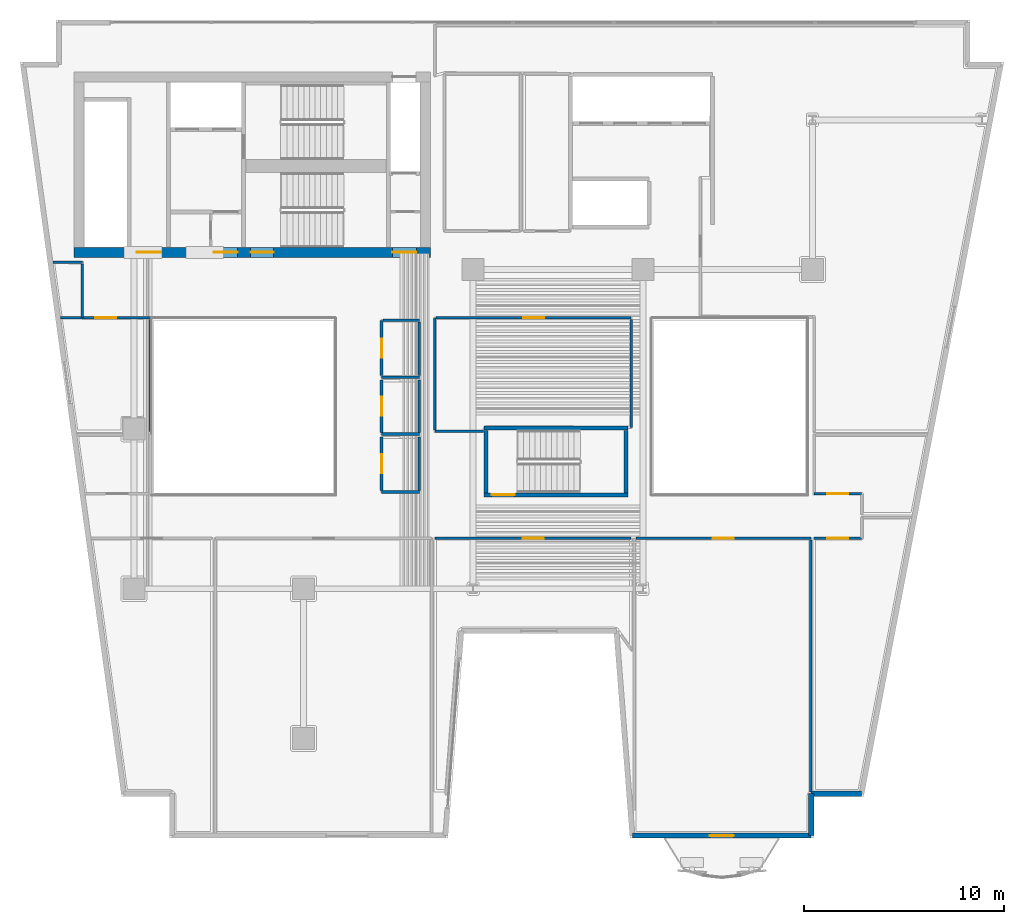
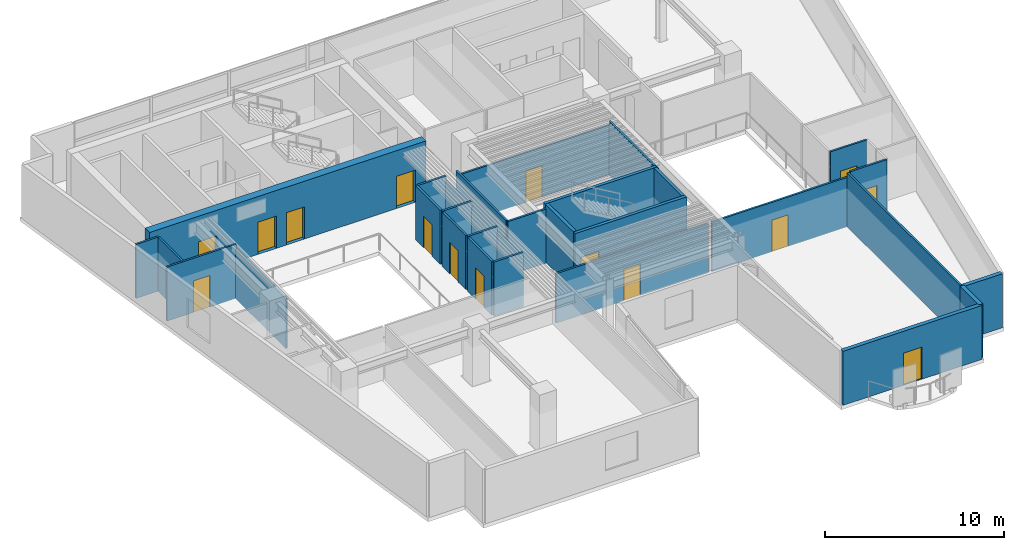
# One storey, part 6 of 13: 31 walls, 15 doors, 15 openings.
"""IFC4 building model written with IfcOpenShell, lengths in metres."""

from ifc_helpers import new_model, si_unit, direction, frame, frame_2d, origin, place, context, subcontext, project, spatial, rectangle, extrude, material, layer, layer_set, type_object, element, fill, save


model = new_model("IFC4")

# Units and contexts
model_context = context("Model", 3, precision=1e-05, world=origin(), true_north=direction((0.0, 1.0)))
body_context = subcontext(model_context, "Body", "Model", "MODEL_VIEW")
ifc_project = project(units=[si_unit("LENGTHUNIT", "METRE"), si_unit("AREAUNIT", "SQUARE_METRE"), si_unit("VOLUMEUNIT", "CUBIC_METRE"), si_unit("PLANEANGLEUNIT", "RADIAN"), si_unit("MASSUNIT", "GRAM", prefix="KILO")], contexts=[model_context])

# Site, building, storey
site_placement = place(None, origin())
site = spatial("IfcSite", under=ifc_project, at=site_placement, CompositionType="ELEMENT")
building_placement = place(site_placement, origin())
building = spatial("IfcBuilding", under=site, at=building_placement, Name="Caeloran Harvest Quay", CompositionType="ELEMENT")
storey_placement = place(building_placement, frame((0.0, 0.0, 123.25)))
storey = spatial("IfcBuildingStorey", under=building, at=storey_placement, Name="L28", CompositionType="ELEMENT", Elevation=123.25)

# Walls
ifc_material_1 = material(Name="Precast concrete C50/60", Category="concrete")
ifc_layer_1 = layer(ifc_material_1, 0.260009765625, Name="Precast concrete C50/60")
ifc_layer_set_1 = layer_set([ifc_layer_1], Name="Precast concrete C50/60")
wall_type_1 = type_object("IfcWallType", Name="ENV-WALL-EW-260", PredefinedType="STANDARD", material=ifc_layer_set_1)
wall_1_placement = place(storey_placement, frame((44.96337890625, 4.72998046875, 0.0), z_axis=(0.0, 0.0, 1.0), x_axis=(-1.0, 0.0, 0.0)))
element("IfcWall", 1, at=wall_1_placement, inside=storey, type_object=wall_type_1, Name="L28 Exterior Precast Concrete Facade Wall 10", PredefinedType="STANDARD", context=body_context, shape_type="SweptSolid", body=[
    extrude(rectangle(XDim=2.5234375, YDim=0.260009765625, at=frame_2d((1.26171875, 0.0))), origin(), (0.0, 0.0, 1.0), 3.68994140625),
])
wall_2_placement = place(storey_placement, frame((42.43994140625, 4.72998046875, 0.0), z_axis=(0.0, 0.0, 1.0), x_axis=(0.0, -1.0, 0.0)))
element("IfcWall", 2, at=wall_2_placement, inside=storey, type_object=wall_type_1, Name="L28 Exterior Precast Concrete Facade Wall 11", PredefinedType="STANDARD", context=body_context, shape_type="SweptSolid", body=[
    extrude(rectangle(XDim=2.10009765625, YDim=0.260009765625, at=frame_2d((1.050048828125, 0.0))), origin(), (0.0, 0.0, 1.0), 3.68994140625),
])

# Wall, opening, door
wall_3_placement = place(storey_placement, frame((42.43994140625, 2.6298828125, 0.0), z_axis=(0.0, 0.0, 1.0), x_axis=(-1.0, 0.0, 0.0)))
wall_3 = element("IfcWall", 3, at=wall_3_placement, inside=storey, type_object=wall_type_1, Name="L28 Exterior Precast Concrete Facade Wall 12", PredefinedType="STANDARD", context=body_context, shape_type="SweptSolid", body=[
    extrude(rectangle(XDim=8.96484375, YDim=0.260009765625, at=frame_2d((4.482421875, 0.0))), origin(), (0.0, 0.0, 1.0), 3.68994140625),
])
opening_1_placement = place(wall_3_placement, frame((3.882080078125, 0.0, 0.0)))
opening_1 = element("IfcOpeningElement", 4, at=opening_1_placement, cuts=wall_3, Name="Opening BD-01", PredefinedType="OPENING", context=body_context, shape_type="SweptSolid", body=[
    extrude(rectangle(XDim=1.199951171875, YDim=2.199951171875, at=frame_2d((0.60009765625, 1.10009765625))), frame((0.0, 0.14013671875, 0.0), z_axis=(0.0, -1.0, 0.0), x_axis=(1.0, 0.0, 0.0)), (0.0, 0.0, 1.0), 0.280029296875),
])
ifc_material_2 = material(Name="Thermally Broken Powder-Coated Aluminium and Safety Glass", Category="aluminium")
door_type_1 = type_object("IfcDoorType", Name="EXTDOOR-BD-01", OperationType="NOTDEFINED", PredefinedType="DOOR", material=ifc_material_2)
door_1_placement = place(opening_1_placement, origin())
door_1 = element("IfcDoor", 5, at=door_1_placement, inside=storey, type_object=door_type_1, Name="L28 Planted Balcony Glazed Access Door", OperationType="SINGLE_SWING_LEFT", OverallHeight=2.199951171875, OverallWidth=1.199951171875, PredefinedType="DOOR", context=body_context, shape_type="SweptSolid", body=[
    extrude(rectangle(XDim=1.199951171875, YDim=2.199951171875, at=frame_2d((0.60009765625, 1.10009765625))), frame((0.0, 0.02490234375, 0.0), z_axis=(0.0, -1.0, 0.0), x_axis=(1.0, 0.0, 0.0)), (0.0, 0.0, 1.0), 0.050048828125),
])
fill(opening_1, door_1)

ifc_material_3 = material(Name="Twin-Stud Mineral-Wool Acoustic Gypsum Partition", Category="gypsum")
ifc_layer_2 = layer(ifc_material_3, 0.125, Name="Twin-Stud Mineral-Wool Acoustic Gypsum Partition")
ifc_layer_set_2 = layer_set([ifc_layer_2], Name="Twin-Stud Mineral-Wool Acoustic Gypsum Partition")
wall_type_2 = type_object("IfcWallType", Name="INT-WALL-PW-125", PredefinedType="PARTITIONING", material=ifc_layer_set_2)
wall_4_placement = place(storey_placement, frame((33.6474609375, 17.52001953125, 0.0), z_axis=(0.0, 0.0, 1.0), x_axis=(1.0, 0.0, 0.0)))
wall_4 = element("IfcWall", 6, at=wall_4_placement, inside=storey, type_object=wall_type_2, Name="Controlled-Climate Simulation Lab Partition Wall", PredefinedType="PARTITIONING", context=body_context, shape_type="SweptSolid", body=[
    extrude(rectangle(XDim=8.7724609375, YDim=0.125, at=frame_2d((4.38623046875, 0.0))), origin(), (0.0, 0.0, 1.0), 3.375),
])
opening_2_placement = place(wall_4_placement, frame((3.861328125, 0.0, 0.0)))
opening_2 = element("IfcOpeningElement", 7, at=opening_2_placement, cuts=wall_4, Name="Opening ID-03", PredefinedType="OPENING", context=body_context, shape_type="SweptSolid", body=[
    extrude(rectangle(XDim=1.050048828125, YDim=2.14990234375, at=frame_2d((0.52490234375, 1.074951171875))), frame((0.0, 0.072509765625, 0.0), z_axis=(0.0, -1.0, 0.0), x_axis=(1.0, 0.0, 0.0)), (0.0, 0.0, 1.0), 0.14501953125),
])
ifc_material_4 = material(Name="FSC Solid-Core Oak Timber Leaf", Category="wood")
door_type_2 = type_object("IfcDoorType", Name="INTDOOR-ID-03", OperationType="NOTDEFINED", PredefinedType="DOOR", material=ifc_material_4)
door_2_placement = place(opening_2_placement, origin())
door_2 = element("IfcDoor", 8, at=door_2_placement, inside=storey, type_object=door_type_2, Name="Controlled-Climate Simulation Lab Access Door", OperationType="SINGLE_SWING_RIGHT", OverallHeight=2.14990234375, OverallWidth=1.050048828125, PredefinedType="DOOR", context=body_context, shape_type="SweptSolid", body=[
    extrude(rectangle(XDim=1.050048828125, YDim=2.14990234375, at=frame_2d((0.52490234375, 1.074951171875))), frame((0.0, 0.02490234375, 0.0), z_axis=(0.0, -1.0, 0.0), x_axis=(1.0, 0.0, 0.0)), (0.0, 0.0, 1.0), 0.050048828125),
])
fill(opening_2, door_2)

# Wall
wall_5_placement = place(storey_placement, frame((42.419921875, 17.452392578125, 0.0), z_axis=(0.0, 0.0, 1.0), x_axis=(0.0, -1.0, 0.0)))
element("IfcWall", 9, at=wall_5_placement, inside=storey, type_object=wall_type_2, Name="Controlled-Climate Simulation Lab Partition Wall", PredefinedType="PARTITIONING", context=body_context, shape_type="SweptSolid", body=[
    extrude(rectangle(XDim=12.64794921875, YDim=0.125, at=frame_2d((6.323974609375, 0.0))), origin(), (0.0, 0.0, 1.0), 3.68994140625),
])

# Wall, opening, door
wall_6_placement = place(storey_placement, frame((42.580078125, 17.52001953125, 0.0), z_axis=(0.0, 0.0, 1.0), x_axis=(1.0, 0.0, 0.0)))
wall_6 = element("IfcWall", 10, at=wall_6_placement, inside=storey, type_object=wall_type_2, Name="Bio-Security Compliance Office Partition Wall", PredefinedType="PARTITIONING", context=body_context, shape_type="SweptSolid", body=[
    extrude(rectangle(XDim=2.369873046875, YDim=0.125, at=frame_2d((1.18505859375, 0.0))), origin(), (0.0, 0.0, 1.0), 3.68994140625),
])
opening_3_placement = place(wall_6_placement, frame((0.659912109375, 0.0, 0.0)))
opening_3 = element("IfcOpeningElement", 11, at=opening_3_placement, cuts=wall_6, Name="Opening ID-03", PredefinedType="OPENING", context=body_context, shape_type="SweptSolid", body=[
    extrude(rectangle(XDim=1.050048828125, YDim=2.14990234375, at=frame_2d((0.52490234375, 1.074951171875))), frame((0.0, 0.072509765625, 0.0), z_axis=(0.0, -1.0, 0.0), x_axis=(1.0, 0.0, 0.0)), (0.0, 0.0, 1.0), 0.14501953125),
])
door_3_placement = place(opening_3_placement, origin())
door_3 = element("IfcDoor", 12, at=door_3_placement, inside=storey, type_object=door_type_2, Name="Bio-Security Compliance Office Access Door", OperationType="SINGLE_SWING_RIGHT", OverallHeight=2.14990234375, OverallWidth=1.050048828125, PredefinedType="DOOR", context=body_context, shape_type="SweptSolid", body=[
    extrude(rectangle(XDim=1.050048828125, YDim=2.14990234375, at=frame_2d((0.52490234375, 1.074951171875))), frame((0.0, 0.02490234375, 0.0), z_axis=(0.0, -1.0, 0.0), x_axis=(1.0, 0.0, 0.0)), (0.0, 0.0, 1.0), 0.050048828125),
])
fill(opening_3, door_3)

wall_7_placement = place(storey_placement, frame((23.580078125, 17.52001953125, 0.0), z_axis=(0.0, 0.0, 1.0), x_axis=(1.0, 0.0, 0.0)))
wall_7 = element("IfcWall", 13, at=wall_7_placement, inside=storey, type_object=wall_type_2, Name="Boardroom and Client Briefing Room Partition Wall", PredefinedType="PARTITIONING", context=body_context, shape_type="SweptSolid", body=[
    extrude(rectangle(XDim=9.83984375, YDim=0.125, at=frame_2d((4.919921875, 0.0))), origin(), (0.0, 0.0, 1.0), 3.375),
])
opening_4_placement = place(wall_7_placement, frame((4.39501953125, 0.0, 0.0)))
opening_4 = element("IfcOpeningElement", 14, at=opening_4_placement, cuts=wall_7, Name="Opening ID-03", PredefinedType="OPENING", context=body_context, shape_type="SweptSolid", body=[
    extrude(rectangle(XDim=1.050048828125, YDim=2.14990234375, at=frame_2d((0.52490234375, 1.074951171875))), frame((0.0, 0.072509765625, 0.0), z_axis=(0.0, -1.0, 0.0), x_axis=(1.0, 0.0, 0.0)), (0.0, 0.0, 1.0), 0.14501953125),
])
door_4_placement = place(opening_4_placement, origin())
door_4 = element("IfcDoor", 15, at=door_4_placement, inside=storey, type_object=door_type_2, Name="Boardroom and Client Briefing Room Access Door", OperationType="SINGLE_SWING_LEFT", OverallHeight=2.14990234375, OverallWidth=1.050048828125, PredefinedType="DOOR", context=body_context, shape_type="SweptSolid", body=[
    extrude(rectangle(XDim=1.050048828125, YDim=2.14990234375, at=frame_2d((0.52490234375, 1.074951171875))), frame((0.0, 0.02490234375, 0.0), z_axis=(0.0, -1.0, 0.0), x_axis=(1.0, 0.0, 0.0)), (0.0, 0.0, 1.0), 0.050048828125),
])
fill(opening_4, door_4)

wall_8_placement = place(storey_placement, frame((44.949951171875, 19.75, 0.0), z_axis=(0.0, 0.0, 1.0), x_axis=(-1.0, 0.0, 0.0)))
wall_8 = element("IfcWall", 16, at=wall_8_placement, inside=storey, type_object=wall_type_2, Name="Research Library Study Room Partition Wall", PredefinedType="PARTITIONING", context=body_context, shape_type="SweptSolid", body=[
    extrude(rectangle(XDim=2.369873046875, YDim=0.125, at=frame_2d((1.18505859375, 0.0))), origin(), (0.0, 0.0, 1.0), 3.68994140625),
])
opening_5_placement = place(wall_8_placement, frame((0.659912109375, 0.0, 0.0)))
opening_5 = element("IfcOpeningElement", 17, at=opening_5_placement, cuts=wall_8, Name="Opening ID-03", PredefinedType="OPENING", context=body_context, shape_type="SweptSolid", body=[
    extrude(rectangle(XDim=1.050048828125, YDim=2.14990234375, at=frame_2d((0.52490234375, 1.074951171875))), frame((0.0, 0.072509765625, 0.0), z_axis=(0.0, -1.0, 0.0), x_axis=(1.0, 0.0, 0.0)), (0.0, 0.0, 1.0), 0.14501953125),
])
door_5_placement = place(opening_5_placement, origin())
door_5 = element("IfcDoor", 18, at=door_5_placement, inside=storey, type_object=door_type_2, Name="Research Library Study Room Access Door", OperationType="SINGLE_SWING_RIGHT", OverallHeight=2.14990234375, OverallWidth=1.050048828125, PredefinedType="DOOR", context=body_context, shape_type="SweptSolid", body=[
    extrude(rectangle(XDim=1.050048828125, YDim=2.14990234375, at=frame_2d((0.52490234375, 1.074951171875))), frame((0.0, 0.02490234375, 0.0), z_axis=(0.0, -1.0, 0.0), x_axis=(1.0, 0.0, 0.0)), (0.0, 0.0, 1.0), 0.050048828125),
])
fill(opening_5, door_5)

# Walls
wall_9_placement = place(storey_placement, frame((26.02490234375, 22.8798828125, 0.0), z_axis=(0.0, 0.0, 1.0), x_axis=(-1.0, 0.0, 0.0)))
element("IfcWall", 19, at=wall_9_placement, inside=storey, type_object=wall_type_2, Name="Server Rack Laboratory Partition Wall", PredefinedType="PARTITIONING", context=body_context, shape_type="SweptSolid", body=[
    extrude(rectangle(XDim=2.44482421875, YDim=0.125, at=frame_2d((1.222412109375, 0.0))), origin(), (0.0, 0.0, 1.0), 3.68994140625),
])
wall_10_placement = place(storey_placement, frame((23.580078125, 22.947509765625, 0.0), z_axis=(0.0, 0.0, 1.0), x_axis=(0.0, 1.0, 0.0)))
element("IfcWall", 20, at=wall_10_placement, inside=storey, type_object=wall_type_2, Name="Server Rack Laboratory Partition Wall", PredefinedType="PARTITIONING", context=body_context, shape_type="SweptSolid", body=[
    extrude(rectangle(XDim=5.62255859375, YDim=0.125, at=frame_2d((2.811279296875, 0.0))), origin(), (0.0, 0.0, 1.0), 3.68994140625),
])

# Wall, opening, door
wall_11_placement = place(storey_placement, frame((23.6474609375, 28.570068359375, 0.0), z_axis=(0.0, 0.0, 1.0), x_axis=(1.0, 0.0, 0.0)))
wall_11 = element("IfcWall", 21, at=wall_11_placement, inside=storey, type_object=wall_type_2, Name="Server Rack Laboratory Partition Wall", PredefinedType="PARTITIONING", context=body_context, shape_type="SweptSolid", body=[
    extrude(rectangle(XDim=9.7724609375, YDim=0.125, at=frame_2d((4.88623046875, 0.0))), origin(), (0.0, 0.0, 1.0), 3.375),
])
opening_6_placement = place(wall_11_placement, frame((4.361328125, 0.0, 0.0)))
opening_6 = element("IfcOpeningElement", 22, at=opening_6_placement, cuts=wall_11, Name="Opening ID-03", PredefinedType="OPENING", context=body_context, shape_type="SweptSolid", body=[
    extrude(rectangle(XDim=1.050048828125, YDim=2.14990234375, at=frame_2d((0.52490234375, 1.074951171875))), frame((0.0, 0.072509765625, 0.0), z_axis=(0.0, -1.0, 0.0), x_axis=(1.0, 0.0, 0.0)), (0.0, 0.0, 1.0), 0.14501953125),
])
door_6_placement = place(opening_6_placement, origin())
door_6 = element("IfcDoor", 23, at=door_6_placement, inside=storey, type_object=door_type_2, Name="Server Rack Laboratory Access Door", OperationType="SINGLE_SWING_RIGHT", OverallHeight=2.14990234375, OverallWidth=1.050048828125, PredefinedType="DOOR", context=body_context, shape_type="SweptSolid", body=[
    extrude(rectangle(XDim=1.050048828125, YDim=2.14990234375, at=frame_2d((0.52490234375, 1.074951171875))), frame((0.0, 0.02490234375, 0.0), z_axis=(0.0, -1.0, 0.0), x_axis=(1.0, 0.0, 0.0)), (0.0, 0.0, 1.0), 0.050048828125),
])
fill(opening_6, door_6)

# Walls
wall_12_placement = place(storey_placement, frame((33.419921875, 28.50244140625, 0.0), z_axis=(0.0, 0.0, 1.0), x_axis=(0.0, -1.0, 0.0)))
element("IfcWall", 24, at=wall_12_placement, inside=storey, type_object=wall_type_2, Name="Server Rack Laboratory Partition Wall", PredefinedType="PARTITIONING", context=body_context, shape_type="SweptSolid", body=[
    extrude(rectangle(XDim=5.42236328125, YDim=0.125, at=frame_2d((2.711181640625, 0.0))), origin(), (0.0, 0.0, 1.0), 3.68994140625),
])
wall_13_placement = place(storey_placement, frame((4.44775390625, 31.35009765625, 0.0), z_axis=(0.0, 0.0, 1.0), x_axis=(1.0, 0.0, 0.0)))
element("IfcWall", 25, at=wall_13_placement, inside=storey, type_object=wall_type_2, Name="Precision Agriculture Engineering Office 9 Partition Wall", PredefinedType="PARTITIONING", context=body_context, shape_type="SweptSolid", body=[
    extrude(rectangle(XDim=1.47216796875, YDim=0.125, at=frame_2d((0.736083984375, 0.0))), origin(), (0.0, 0.0, 1.0), 3.68994140625),
])
wall_14_placement = place(storey_placement, frame((5.919921875, 31.282470703125, 0.0), z_axis=(0.0, 0.0, 1.0), x_axis=(0.0, -1.0, 0.0)))
element("IfcWall", 26, at=wall_14_placement, inside=storey, type_object=wall_type_2, Name="Precision Agriculture Engineering Office 9 Partition Wall", PredefinedType="PARTITIONING", context=body_context, shape_type="SweptSolid", body=[
    extrude(rectangle(XDim=2.682373046875, YDim=0.125, at=frame_2d((1.34130859375, 0.0))), origin(), (0.0, 0.0, 1.0), 3.68994140625),
])

# Wall, opening, door
wall_15_placement = place(storey_placement, frame((4.832275390625, 28.570068359375, 0.0), z_axis=(0.0, 0.0, 1.0), x_axis=(1.0, 0.0, 0.0)))
wall_15 = element("IfcWall", 27, at=wall_15_placement, inside=storey, type_object=wall_type_2, Name="Precision Agriculture Engineering Office 9 Partition Wall", PredefinedType="PARTITIONING", context=body_context, shape_type="SweptSolid", body=[
    extrude(rectangle(XDim=4.48779296875, YDim=0.125, at=frame_2d((2.243896484375, 0.0))), origin(), (0.0, 0.0, 1.0), 3.68994140625),
])
opening_7_placement = place(wall_15_placement, frame((1.718994140625, 0.0, 0.0)))
opening_7 = element("IfcOpeningElement", 28, at=opening_7_placement, cuts=wall_15, Name="Opening ID-03", PredefinedType="OPENING", context=body_context, shape_type="SweptSolid", body=[
    extrude(rectangle(XDim=1.050048828125, YDim=2.14990234375, at=frame_2d((0.52490234375, 1.074951171875))), frame((0.0, 0.072509765625, 0.0), z_axis=(0.0, -1.0, 0.0), x_axis=(1.0, 0.0, 0.0)), (0.0, 0.0, 1.0), 0.14501953125),
])
door_7_placement = place(opening_7_placement, origin())
door_7 = element("IfcDoor", 29, at=door_7_placement, inside=storey, type_object=door_type_2, Name="Precision Agriculture Engineering Office 9 Access Door", OperationType="SINGLE_SWING_LEFT", OverallHeight=2.14990234375, OverallWidth=1.050048828125, PredefinedType="DOOR", context=body_context, shape_type="SweptSolid", body=[
    extrude(rectangle(XDim=1.050048828125, YDim=2.14990234375, at=frame_2d((0.52490234375, 1.074951171875))), frame((0.0, 0.02490234375, 0.0), z_axis=(0.0, -1.0, 0.0), x_axis=(1.0, 0.0, 0.0)), (0.0, 0.0, 1.0), 0.050048828125),
])
fill(opening_7, door_7)

# Walls
wall_16_placement = place(storey_placement, frame((9.320068359375, 28.50244140625, 0.0), z_axis=(0.0, 0.0, 1.0), x_axis=(0.0, -1.0, 0.0)))
element("IfcWall", 30, at=wall_16_placement, inside=storey, type_object=wall_type_2, Name="Precision Agriculture Engineering Office 9 Partition Wall", PredefinedType="PARTITIONING", context=body_context, shape_type="SweptSolid", body=[
    extrude(rectangle(XDim=5.62255859375, YDim=0.125, at=frame_2d((2.811279296875, 0.0))), origin(), (0.0, 0.0, 1.0), 3.375),
])
ifc_material_5 = material(Name="Moisture-Resistant Cement-Board Sanitary Partition", Category="gypsum")
ifc_layer_3 = layer(ifc_material_5, 0.139892578125, Name="Moisture-Resistant Cement-Board Sanitary Partition")
ifc_layer_set_3 = layer_set([ifc_layer_3], Name="Moisture-Resistant Cement-Board Sanitary Partition")
wall_type_3 = type_object("IfcWallType", Name="INT-WALL-PW-140", PredefinedType="PARTITIONING", material=ifc_layer_set_3)
wall_17_placement = place(storey_placement, frame((22.800048828125, 25.60009765625, 0.0), z_axis=(0.0, 0.0, 1.0), x_axis=(-1.0, 0.0, 0.0)))
element("IfcWall", 31, at=wall_17_placement, inside=storey, type_object=wall_type_3, Name="L28 Male Washroom WC Partition Wall", PredefinedType="PARTITIONING", context=body_context, shape_type="SweptSolid", body=[
    extrude(rectangle(XDim=1.89013671875, YDim=0.139892578125, at=frame_2d((0.945068359375, 0.0))), origin(), (0.0, 0.0, 1.0), 3.68994140625),
])

# Wall, opening, door
wall_18_placement = place(storey_placement, frame((20.909912109375, 25.675048828125, 0.0), z_axis=(0.0, 0.0, 1.0), x_axis=(0.0, 1.0, 0.0)))
wall_18 = element("IfcWall", 32, at=wall_18_placement, inside=storey, type_object=wall_type_3, Name="L28 Male Washroom WC Partition Wall", PredefinedType="PARTITIONING", context=body_context, shape_type="SweptSolid", body=[
    extrude(rectangle(XDim=2.77490234375, YDim=0.139892578125, at=frame_2d((1.387451171875, 0.0))), origin(), (0.0, 0.0, 1.0), 3.68994140625),
])
opening_8_placement = place(wall_18_placement, frame((0.91259765625, 0.0, 0.0)))
opening_8 = element("IfcOpeningElement", 33, at=opening_8_placement, cuts=wall_18, Name="Opening WC-01", PredefinedType="OPENING", context=body_context, shape_type="SweptSolid", body=[
    extrude(rectangle(XDim=0.949951171875, YDim=2.14990234375, at=frame_2d((0.47509765625, 1.074951171875))), frame((0.0, 0.080078125, 0.0), z_axis=(0.0, -1.0, 0.0), x_axis=(1.0, 0.0, 0.0)), (0.0, 0.0, 1.0), 0.159912109375),
])
ifc_material_6 = material(Name="High-Pressure Laminate Moisture-Resistant Timber", Category="wood")
door_type_3 = type_object("IfcDoorType", Name="INTDOOR-WC-01", OperationType="NOTDEFINED", PredefinedType="DOOR", material=ifc_material_6)
door_8_placement = place(opening_8_placement, origin())
door_8 = element("IfcDoor", 34, at=door_8_placement, inside=storey, type_object=door_type_3, Name="L28 Male Washroom WC Access Door", OperationType="SINGLE_SWING_RIGHT", OverallHeight=2.14990234375, OverallWidth=0.949951171875, PredefinedType="DOOR", context=body_context, shape_type="SweptSolid", body=[
    extrude(rectangle(XDim=0.949951171875, YDim=2.14990234375, at=frame_2d((0.47509765625, 1.074951171875))), frame((0.0, 0.02490234375, 0.0), z_axis=(0.0, -1.0, 0.0), x_axis=(1.0, 0.0, 0.0)), (0.0, 0.0, 1.0), 0.050048828125),
])
fill(opening_8, door_8)

# Walls
wall_19_placement = place(storey_placement, frame((20.985107421875, 28.449951171875, 0.0), z_axis=(0.0, 0.0, 1.0), x_axis=(1.0, 0.0, 0.0)))
element("IfcWall", 35, at=wall_19_placement, inside=storey, type_object=wall_type_3, Name="L28 Male Washroom WC Partition Wall", PredefinedType="PARTITIONING", context=body_context, shape_type="SweptSolid", body=[
    extrude(rectangle(XDim=1.81494140625, YDim=0.139892578125, at=frame_2d((0.907470703125, 0.0))), origin(), (0.0, 0.0, 1.0), 3.68994140625),
])
wall_20_placement = place(storey_placement, frame((22.800048828125, 28.375, 0.0), z_axis=(0.0, 0.0, 1.0), x_axis=(0.0, -1.0, 0.0)))
element("IfcWall", 36, at=wall_20_placement, inside=storey, type_object=wall_type_3, Name="L28 Male Washroom WC Partition Wall", PredefinedType="PARTITIONING", context=body_context, shape_type="SweptSolid", body=[
    extrude(rectangle(XDim=2.699951171875, YDim=0.139892578125, at=frame_2d((1.35009765625, 0.0))), origin(), (0.0, 0.0, 1.0), 3.375),
])
wall_21_placement = place(storey_placement, frame((22.800048828125, 22.75, 0.0), z_axis=(0.0, 0.0, 1.0), x_axis=(-1.0, 0.0, 0.0)))
element("IfcWall", 37, at=wall_21_placement, inside=storey, type_object=wall_type_3, Name="L28 Female Washroom WC Partition Wall", PredefinedType="PARTITIONING", context=body_context, shape_type="SweptSolid", body=[
    extrude(rectangle(XDim=1.89013671875, YDim=0.139892578125, at=frame_2d((0.945068359375, 0.0))), origin(), (0.0, 0.0, 1.0), 3.68994140625),
])

# Wall, opening, door
wall_22_placement = place(storey_placement, frame((20.909912109375, 22.824951171875, 0.0), z_axis=(0.0, 0.0, 1.0), x_axis=(0.0, 1.0, 0.0)))
wall_22 = element("IfcWall", 38, at=wall_22_placement, inside=storey, type_object=wall_type_3, Name="L28 Female Washroom WC Partition Wall", PredefinedType="PARTITIONING", context=body_context, shape_type="SweptSolid", body=[
    extrude(rectangle(XDim=2.625, YDim=0.139892578125, at=frame_2d((1.3125, 0.0))), origin(), (0.0, 0.0, 1.0), 3.68994140625),
])
opening_9_placement = place(wall_22_placement, frame((0.83740234375, 0.0, 0.0)))
opening_9 = element("IfcOpeningElement", 39, at=opening_9_placement, cuts=wall_22, Name="Opening WC-01", PredefinedType="OPENING", context=body_context, shape_type="SweptSolid", body=[
    extrude(rectangle(XDim=0.949951171875, YDim=2.14990234375, at=frame_2d((0.47509765625, 1.074951171875))), frame((0.0, 0.080078125, 0.0), z_axis=(0.0, -1.0, 0.0), x_axis=(1.0, 0.0, 0.0)), (0.0, 0.0, 1.0), 0.159912109375),
])
door_9_placement = place(opening_9_placement, origin())
door_9 = element("IfcDoor", 40, at=door_9_placement, inside=storey, type_object=door_type_3, Name="L28 Female Washroom WC Access Door", OperationType="SINGLE_SWING_LEFT", OverallHeight=2.14990234375, OverallWidth=0.949951171875, PredefinedType="DOOR", context=body_context, shape_type="SweptSolid", body=[
    extrude(rectangle(XDim=0.949951171875, YDim=2.14990234375, at=frame_2d((0.47509765625, 1.074951171875))), frame((0.0, 0.02490234375, 0.0), z_axis=(0.0, -1.0, 0.0), x_axis=(1.0, 0.0, 0.0)), (0.0, 0.0, 1.0), 0.050048828125),
])
fill(opening_9, door_9)

# Walls
wall_23_placement = place(storey_placement, frame((22.800048828125, 25.449951171875, 0.0), z_axis=(0.0, 0.0, 1.0), x_axis=(0.0, -1.0, 0.0)))
element("IfcWall", 41, at=wall_23_placement, inside=storey, type_object=wall_type_3, Name="L28 Female Washroom WC Partition Wall", PredefinedType="PARTITIONING", context=body_context, shape_type="SweptSolid", body=[
    extrude(rectangle(XDim=2.625, YDim=0.139892578125, at=frame_2d((1.3125, 0.0))), origin(), (0.0, 0.0, 1.0), 3.375),
])
wall_24_placement = place(storey_placement, frame((22.800048828125, 19.85009765625, 0.0), z_axis=(0.0, 0.0, 1.0), x_axis=(-1.0, 0.0, 0.0)))
element("IfcWall", 42, at=wall_24_placement, inside=storey, type_object=wall_type_3, Name="L28 Accessible Unisex Washroom WC Partition Wall", PredefinedType="PARTITIONING", context=body_context, shape_type="SweptSolid", body=[
    extrude(rectangle(XDim=1.89013671875, YDim=0.139892578125, at=frame_2d((0.945068359375, 0.0))), origin(), (0.0, 0.0, 1.0), 3.68994140625),
])

# Wall, opening, door
wall_25_placement = place(storey_placement, frame((20.909912109375, 19.925048828125, 0.0), z_axis=(0.0, 0.0, 1.0), x_axis=(0.0, 1.0, 0.0)))
wall_25 = element("IfcWall", 43, at=wall_25_placement, inside=storey, type_object=wall_type_3, Name="L28 Accessible Unisex Washroom WC Partition Wall", PredefinedType="PARTITIONING", context=body_context, shape_type="SweptSolid", body=[
    extrude(rectangle(XDim=2.675048828125, YDim=0.139892578125, at=frame_2d((1.33740234375, 0.0))), origin(), (0.0, 0.0, 1.0), 3.68994140625),
])
opening_10_placement = place(wall_25_placement, frame((0.862548828125, 0.0, 0.0)))
opening_10 = element("IfcOpeningElement", 44, at=opening_10_placement, cuts=wall_25, Name="Opening WC-01", PredefinedType="OPENING", context=body_context, shape_type="SweptSolid", body=[
    extrude(rectangle(XDim=0.949951171875, YDim=2.14990234375, at=frame_2d((0.47509765625, 1.074951171875))), frame((0.0, 0.080078125, 0.0), z_axis=(0.0, -1.0, 0.0), x_axis=(1.0, 0.0, 0.0)), (0.0, 0.0, 1.0), 0.159912109375),
])
door_10_placement = place(opening_10_placement, origin())
door_10 = element("IfcDoor", 45, at=door_10_placement, inside=storey, type_object=door_type_3, Name="L28 Accessible Unisex Washroom WC Access Door", OperationType="SINGLE_SWING_RIGHT", OverallHeight=2.14990234375, OverallWidth=0.949951171875, PredefinedType="DOOR", context=body_context, shape_type="SweptSolid", body=[
    extrude(rectangle(XDim=0.949951171875, YDim=2.14990234375, at=frame_2d((0.47509765625, 1.074951171875))), frame((0.0, 0.02490234375, 0.0), z_axis=(0.0, -1.0, 0.0), x_axis=(1.0, 0.0, 0.0)), (0.0, 0.0, 1.0), 0.050048828125),
])
fill(opening_10, door_10)

# Wall
wall_26_placement = place(storey_placement, frame((22.800048828125, 22.60009765625, 0.0), z_axis=(0.0, 0.0, 1.0), x_axis=(0.0, -1.0, 0.0)))
element("IfcWall", 46, at=wall_26_placement, inside=storey, type_object=wall_type_3, Name="L28 Accessible Unisex Washroom WC Partition Wall", PredefinedType="PARTITIONING", context=body_context, shape_type="SweptSolid", body=[
    extrude(rectangle(XDim=2.675048828125, YDim=0.139892578125, at=frame_2d((1.33740234375, 0.0))), origin(), (0.0, 0.0, 1.0), 3.375),
])

# Wall, openings, doors
ifc_material_7 = material(Name="Concrete C70/85", Category="concrete")
ifc_layer_4 = layer(ifc_material_7, 0.5, Name="Concrete C70/85")
ifc_layer_set_4 = layer_set([ifc_layer_4], Name="Concrete C70/85")
wall_type_4 = type_object("IfcWallType", Name="STR-WALL-CW-500", PredefinedType="SHEAR", material=ifc_layer_set_4)
wall_27_placement = place(storey_placement, frame((5.5, 31.85009765625, 0.0), z_axis=(0.0, 0.0, 1.0), x_axis=(1.0, 0.0, 0.0)))
wall_27 = element("IfcWall", 47, at=wall_27_placement, inside=storey, type_object=wall_type_4, Name="L28 Rear Core Shear Wall S", PredefinedType="SHEAR", context=body_context, shape_type="SweptSolid", body=[
    extrude(rectangle(XDim=17.85009765625, YDim=0.5, at=frame_2d((8.925048828125, 0.0))), origin(), (0.0, 0.0, 1.0), 3.949951171875),
])
opening_11_placement = place(wall_27_placement, frame((3.14990234375, 0.0, 0.0)))
opening_11 = element("IfcOpeningElement", 48, at=opening_11_placement, cuts=wall_27, Name="Opening FD-01", PredefinedType="OPENING", context=body_context, shape_type="SweptSolid", body=[
    extrude(rectangle(XDim=1.199951171875, YDim=2.199951171875, at=frame_2d((0.60009765625, 1.10009765625))), frame((0.0, 0.260009765625, 0.0), z_axis=(0.0, -1.0, 0.0), x_axis=(1.0, 0.0, 0.0)), (0.0, 0.0, 1.0), 0.52001953125),
])
opening_12_placement = place(wall_27_placement, frame((7.0, 0.0, 0.0)))
opening_12 = element("IfcOpeningElement", 49, at=opening_12_placement, cuts=wall_27, Name="Opening FD-01", PredefinedType="OPENING", context=body_context, shape_type="SweptSolid", body=[
    extrude(rectangle(XDim=1.199951171875, YDim=2.199951171875, at=frame_2d((0.60009765625, 1.10009765625))), frame((0.0, 0.260009765625, 0.0), z_axis=(0.0, -1.0, 0.0), x_axis=(1.0, 0.0, 0.0)), (0.0, 0.0, 1.0), 0.52001953125),
])
opening_13_placement = place(wall_27_placement, frame((8.85009765625, 0.0, 0.0)))
opening_13 = element("IfcOpeningElement", 50, at=opening_13_placement, cuts=wall_27, Name="Opening SD-01", PredefinedType="OPENING", context=body_context, shape_type="SweptSolid", body=[
    extrude(rectangle(XDim=1.14990234375, YDim=2.199951171875, at=frame_2d((0.574951171875, 1.10009765625))), frame((0.0, 0.260009765625, 0.0), z_axis=(0.0, -1.0, 0.0), x_axis=(1.0, 0.0, 0.0)), (0.0, 0.0, 1.0), 0.52001953125),
])
opening_14_placement = place(wall_27_placement, frame((15.949951171875, 0.0, 0.0)))
opening_14 = element("IfcOpeningElement", 51, at=opening_14_placement, cuts=wall_27, Name="Opening FD-01", PredefinedType="OPENING", context=body_context, shape_type="SweptSolid", body=[
    extrude(rectangle(XDim=1.199951171875, YDim=2.199951171875, at=frame_2d((0.60009765625, 1.10009765625))), frame((0.0, 0.260009765625, 0.0), z_axis=(0.0, -1.0, 0.0), x_axis=(1.0, 0.0, 0.0)), (0.0, 0.0, 1.0), 0.52001953125),
])
ifc_material_8 = material(Name="Steel", Category="steel")
door_type_4 = type_object("IfcDoorType", Name="INTDOOR-FD-01", OperationType="NOTDEFINED", PredefinedType="DOOR", material=ifc_material_8)
door_11_placement = place(opening_11_placement, origin())
door_11 = element("IfcDoor", 52, at=door_11_placement, inside=storey, type_object=door_type_4, Name="L28 High-Rise Lift Lobby Fire Door", OperationType="SINGLE_SWING_LEFT", OverallHeight=2.199951171875, OverallWidth=1.199951171875, PredefinedType="DOOR", context=body_context, shape_type="SweptSolid", body=[
    extrude(rectangle(XDim=1.199951171875, YDim=2.199951171875, at=frame_2d((0.60009765625, 1.10009765625))), frame((0.0, 0.02490234375, 0.0), z_axis=(0.0, -1.0, 0.0), x_axis=(1.0, 0.0, 0.0)), (0.0, 0.0, 1.0), 0.050048828125),
])
fill(opening_11, door_11)
door_12_placement = place(opening_12_placement, origin())
door_12 = element("IfcDoor", 53, at=door_12_placement, inside=storey, type_object=door_type_4, Name="L28 Firefighting Lobby Vestibule Fire Door", OperationType="SINGLE_SWING_RIGHT", OverallHeight=2.199951171875, OverallWidth=1.199951171875, PredefinedType="DOOR", context=body_context, shape_type="SweptSolid", body=[
    extrude(rectangle(XDim=1.199951171875, YDim=2.199951171875, at=frame_2d((0.60009765625, 1.10009765625))), frame((0.0, 0.02490234375, 0.0), z_axis=(0.0, -1.0, 0.0), x_axis=(1.0, 0.0, 0.0)), (0.0, 0.0, 1.0), 0.050048828125),
])
fill(opening_12, door_12)
door_13_placement = place(opening_14_placement, origin())
door_13 = element("IfcDoor", 54, at=door_13_placement, inside=storey, type_object=door_type_4, Name="L28 Service Lift Lobby Fire Door", OperationType="SINGLE_SWING_RIGHT", OverallHeight=2.199951171875, OverallWidth=1.199951171875, PredefinedType="DOOR", context=body_context, shape_type="SweptSolid", body=[
    extrude(rectangle(XDim=1.199951171875, YDim=2.199951171875, at=frame_2d((0.60009765625, 1.10009765625))), frame((0.0, 0.02490234375, 0.0), z_axis=(0.0, -1.0, 0.0), x_axis=(1.0, 0.0, 0.0)), (0.0, 0.0, 1.0), 0.050048828125),
])
fill(opening_14, door_13)
door_type_5 = type_object("IfcDoorType", Name="INTDOOR-SD-01", OperationType="NOTDEFINED", PredefinedType="DOOR", material=ifc_material_8)
door_14_placement = place(opening_13_placement, origin())
door_14 = element("IfcDoor", 55, at=door_14_placement, inside=storey, type_object=door_type_5, Name="L28 Protected Stair ST-C2 Exit Door", OperationType="SINGLE_SWING_LEFT", OverallHeight=2.199951171875, OverallWidth=1.14990234375, PredefinedType="DOOR", context=body_context, shape_type="SweptSolid", body=[
    extrude(rectangle(XDim=1.14990234375, YDim=2.199951171875, at=frame_2d((0.574951171875, 1.10009765625))), frame((0.0, 0.02490234375, 0.0), z_axis=(0.0, -1.0, 0.0), x_axis=(1.0, 0.0, 0.0)), (0.0, 0.0, 1.0), 0.050048828125),
])
fill(opening_13, door_14)

# Wall, opening, door
ifc_material_9 = material(Name="Concrete C60/75", Category="concrete")
ifc_layer_5 = layer(ifc_material_9, 0.199951171875, Name="Concrete C60/75")
ifc_layer_set_5 = layer_set([ifc_layer_5], Name="Concrete C60/75")
wall_type_5 = type_object("IfcWallType", Name="STR-WALL-SW-200", PredefinedType="SHEAR", material=ifc_layer_set_5)
wall_28_placement = place(storey_placement, frame((26.050048828125, 19.699951171875, 0.0), z_axis=(0.0, 0.0, 1.0), x_axis=(1.0, 0.0, 0.0)))
wall_28 = element("IfcWall", 56, at=wall_28_placement, inside=storey, type_object=wall_type_5, Name="L28 Stair ST-W1 S RC Shaft Shear Wall", PredefinedType="SHEAR", context=body_context, shape_type="SweptSolid", body=[
    extrude(rectangle(XDim=7.199951171875, YDim=0.199951171875, at=frame_2d((3.60009765625, 0.0))), origin(), (0.0, 0.0, 1.0), 3.949951171875),
])
opening_15_placement = place(wall_28_placement, frame((0.3798828125, 0.0, 0.0)))
opening_15 = element("IfcOpeningElement", 57, at=opening_15_placement, cuts=wall_28, Name="Opening SD-01", PredefinedType="OPENING", context=body_context, shape_type="SweptSolid", body=[
    extrude(rectangle(XDim=1.14990234375, YDim=2.199951171875, at=frame_2d((0.574951171875, 1.10009765625))), frame((0.0, 0.10986328125, 0.0), z_axis=(0.0, -1.0, 0.0), x_axis=(1.0, 0.0, 0.0)), (0.0, 0.0, 1.0), 0.219970703125),
])
door_15_placement = place(opening_15_placement, origin())
door_15 = element("IfcDoor", 58, at=door_15_placement, inside=storey, type_object=door_type_5, Name="L28 Protected Exit Stair ST-W1 Fire Door", OperationType="SINGLE_SWING_RIGHT", OverallHeight=2.199951171875, OverallWidth=1.14990234375, PredefinedType="DOOR", context=body_context, shape_type="SweptSolid", body=[
    extrude(rectangle(XDim=1.14990234375, YDim=2.199951171875, at=frame_2d((0.574951171875, 1.10009765625))), frame((0.0, 0.02490234375, 0.0), z_axis=(0.0, -1.0, 0.0), x_axis=(1.0, 0.0, 0.0)), (0.0, 0.0, 1.0), 0.050048828125),
])
fill(opening_15, door_15)

# Walls
wall_29_placement = place(storey_placement, frame((26.050048828125, 23.050048828125, 0.0), z_axis=(0.0, 0.0, 1.0), x_axis=(1.0, 0.0, 0.0)))
element("IfcWall", 59, at=wall_29_placement, inside=storey, type_object=wall_type_5, Name="L28 Stair ST-W1 N RC Shaft Shear Wall", PredefinedType="SHEAR", context=body_context, shape_type="SweptSolid", body=[
    extrude(rectangle(XDim=7.199951171875, YDim=0.199951171875, at=frame_2d((3.60009765625, 0.0))), origin(), (0.0, 0.0, 1.0), 3.949951171875),
])
for number, where, z_axis, x_axis, name in (
    (60, (26.14990234375, 19.81005859375, 0.0), (0.0, 0.0, 1.0), (0.0, 1.0, 0.0), "L28 Stair ST-W1 W RC Shaft Shear Wall"),
    (61, (33.14990234375, 19.81005859375, 0.0), (0.0, 0.0, 1.0), (0.0, 1.0, 0.0), "L28 Stair ST-W1 E RC Shaft Shear Wall"),
):
    element("IfcWall", number, at=place(storey_placement, frame(where, z_axis=z_axis, x_axis=x_axis)), inside=storey, type_object=wall_type_5, Name=name, PredefinedType="SHEAR", context=body_context, shape_type="SweptSolid", body=[
        extrude(rectangle(XDim=3.1298828125, YDim=0.199951171875, at=frame_2d((1.56494140625, 0.0))), origin(), (0.0, 0.0, 1.0), 3.949951171875),
    ])

save(model, "model.ifc")
